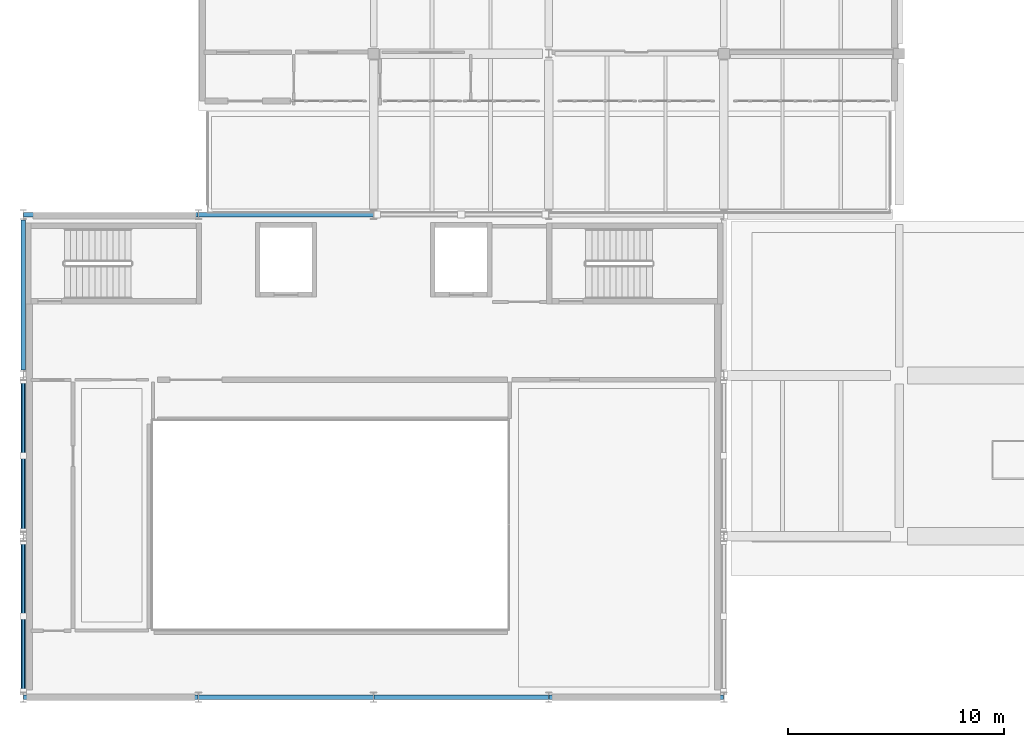
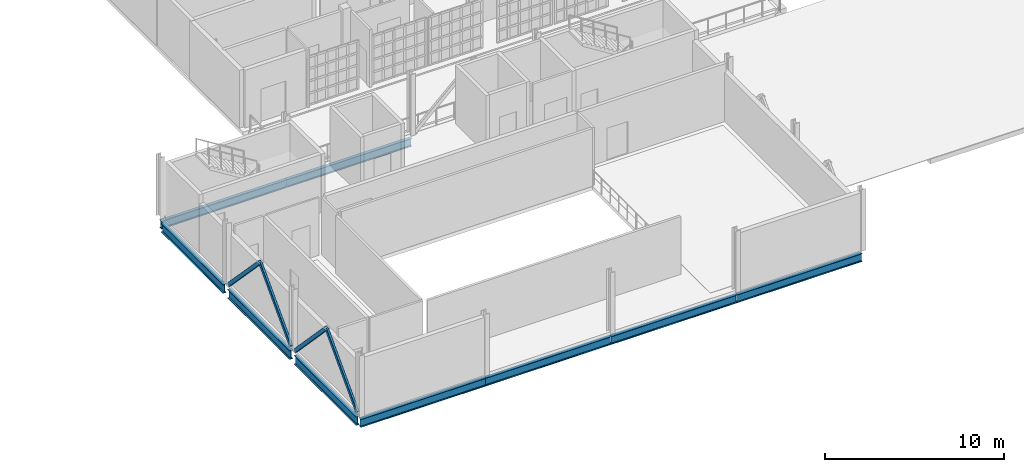
# One storey, part 3 of 25: 9 beams, 4 members.
"""IFC4 building model written with IfcOpenShell, lengths in metres."""

from ifc_helpers import new_model, si_unit, direction, frame, origin, origin_2d, place, context, subcontext, project, spatial, hollow_rectangle, i_section, extrude, material, material_profile, profile_set, type_object, element, save


model = new_model("IFC4")

# Units and contexts
model_context = context("Model", 3, precision=1e-05, world=origin(), true_north=direction((0.0, 1.0)))
body_context = subcontext(model_context, "Body", "Model", "MODEL_VIEW")
ifc_project = project(units=[si_unit("LENGTHUNIT", "METRE"), si_unit("AREAUNIT", "SQUARE_METRE"), si_unit("VOLUMEUNIT", "CUBIC_METRE"), si_unit("PLANEANGLEUNIT", "RADIAN"), si_unit("MASSUNIT", "GRAM", prefix="KILO")], contexts=[model_context])

# Site, building, storey
site_placement = place(None, origin())
site = spatial("IfcSite", under=ifc_project, at=site_placement, CompositionType="ELEMENT")
building_placement = place(site_placement, origin())
building = spatial("IfcBuilding", under=site, at=building_placement, Name="Kaelora Sail Theatre", CompositionType="ELEMENT")
storey_placement = place(building_placement, frame((0.0, 0.0, 19.199951171875)))
storey = spatial("IfcBuildingStorey", under=building, at=storey_placement, Name="L04", CompositionType="ELEMENT", Elevation=19.199951171875)

# Beams
ifc_material_1 = material(Name="Steel S355", Category="steel")
ifc_material_profile_1 = material_profile(ifc_material_1, i_section(OverallWidth=0.2099609375, OverallDepth=0.550048828125, WebThickness=0.010986328125, FlangeThickness=0.01708984375, FilletRadius=0.02392578125, at=origin_2d()), Name="IPE 550")
ifc_profile_set_1 = profile_set([ifc_material_profile_1], Name="Steel S355")
beam_type_1 = type_object("IfcBeamType", Name="STR-BM-BM-IPE550", PredefinedType="USERDEFINED", material=ifc_profile_set_1)
for number, where, z_axis, x_axis, name in (
    (1, (25.80908203125, 61.02001953125, -0.530029296875), (1.0, 0.0, 0.0), (0.0, 1.0, 0.0), "Primary beam I 4-5 (L04)"),
    (2, (25.80908203125, 83.340087890625, -0.530029296875), (1.0, 0.0, 0.0), (0.0, 1.0, 0.0), "Primary beam L 4-5 (L04)"),
    (3, (33.908935546875, 61.02001953125, -0.530029296875), (1.0, 0.0, 0.0), (0.0, 1.0, 0.0), "Primary beam I 5-6 (L04)"),
    (4, (33.908935546875, 83.340087890625, -0.530029296875), (1.0, 0.0, 0.0), (0.0, 1.0, 0.0), "Primary beam L 5-6 (L04)"),
    (5, (42.009033203125, 61.02001953125, -0.530029296875), (1.0, 0.0, 0.0), (0.0, 1.0, 0.0), "Primary beam I 6-7 (L04)"),
    (6, (50.10888671875, 61.02001953125, -0.530029296875), (1.0, 0.0, 0.0), (0.0, 1.0, 0.0), "Primary beam I 7-8 (L04)"),
):
    element("IfcBeam", number, at=place(storey_placement, frame(where, z_axis=z_axis, x_axis=x_axis)), inside=storey, type_object=beam_type_1, Name=name, ObjectType="GIRDER", PredefinedType="USERDEFINED", context=body_context, shape_type="SweptSolid", body=[
        extrude(i_section(OverallWidth=0.2099609375, OverallDepth=0.550048828125, WebThickness=0.010986328125, FlangeThickness=0.01708984375, FilletRadius=0.02392578125, at=origin_2d()), origin(), (0.0, 0.0, 1.0), 8.08203125),
    ])
ifc_material_2 = material(Name="Steel S355", Category="steel")
ifc_material_profile_2 = material_profile(ifc_material_2, i_section(OverallWidth=0.219970703125, OverallDepth=0.60009765625, WebThickness=0.011962890625, FlangeThickness=0.01904296875, FilletRadius=0.02392578125, at=origin_2d()), Name="IPE 600")
ifc_profile_set_2 = profile_set([ifc_material_profile_2], Name="Steel S355")
beam_type_2 = type_object("IfcBeamType", Name="STR-BM-BM-IPE600", PredefinedType="USERDEFINED", material=ifc_profile_set_2)
for number, where, z_axis, x_axis, name in (
    (7, (25.800048828125, 61.27001953125, -0.554931640625), (0.0, 1.0, 0.0), (-1.0, 0.0, 0.0), "Primary beam 4 I-J (L04)"),
    (8, (25.800048828125, 68.7099609375, -0.554931640625), (0.0, 1.0, 0.0), (-1.0, 0.0, 0.0), "Primary beam 4 J-K (L04)"),
):
    element("IfcBeam", number, at=place(storey_placement, frame(where, z_axis=z_axis, x_axis=x_axis)), inside=storey, type_object=beam_type_2, Name=name, ObjectType="GIRDER", PredefinedType="USERDEFINED", context=body_context, shape_type="SweptSolid", body=[
        extrude(i_section(OverallWidth=0.219970703125, OverallDepth=0.60009765625, WebThickness=0.011962890625, FlangeThickness=0.01904296875, FilletRadius=0.02392578125, at=origin_2d()), origin(), (0.0, 0.0, 1.0), 6.93994140625),
    ])
beam_placement = place(storey_placement, frame((25.800048828125, 76.14990234375, -0.554931640625), z_axis=(0.0, 1.0, 0.0), x_axis=(-1.0, 0.0, 0.0)))
element("IfcBeam", 9, at=beam_placement, inside=storey, type_object=beam_type_2, Name="Primary beam 4 K-L (L04)", ObjectType="GIRDER", PredefinedType="USERDEFINED", context=body_context, shape_type="SweptSolid", body=[
    extrude(i_section(OverallWidth=0.219970703125, OverallDepth=0.60009765625, WebThickness=0.011962890625, FlangeThickness=0.01904296875, FilletRadius=0.02392578125, at=origin_2d()), origin(), (0.0, 0.0, 1.0), 6.940185546875),
])

# Members
ifc_material_3 = material(Name="Steel S355", Category="steel")
ifc_material_profile_3 = material_profile(ifc_material_3, hollow_rectangle(XDim=0.14990234375, YDim=0.25, WallThickness=0.010009765625, InnerFilletRadius=0.010009765625, OuterFilletRadius=0.02001953125, at=origin_2d()), Name="RHS 250x150x10.0")
ifc_profile_set_3 = profile_set([ifc_material_profile_3], Name="Steel S355")
member_type = type_object("IfcMemberType", Name="STR-MEM-BR-RHS250", PredefinedType="BRACE", material=ifc_profile_set_3)
member_1_placement = place(storey_placement, frame((25.800048828125, 61.280029296875, 0.02001953125), z_axis=(0.0, 0.690009780315, 0.723800043568), x_axis=(-1.0, 0.0, 0.0)))
element("IfcMember", 10, at=member_1_placement, inside=storey, type_object=member_type, Name="Fly Tower chevron brace L04 WS1", PredefinedType="BRACE", context=body_context, shape_type="SweptSolid", body=[
    extrude(hollow_rectangle(XDim=0.14990234375, YDim=0.25, WallThickness=0.010009765625, InnerFilletRadius=0.010009765625, OuterFilletRadius=0.02001953125, at=origin_2d()), origin(), (0.0, 0.0, 1.0), 5.035888671875),
])
member_2_placement = place(storey_placement, frame((25.800048828125, 68.22998046875, 0.02001953125), z_axis=(0.0, -0.690035176836, 0.723775831822), x_axis=(1.0, 0.0, 0.0)))
element("IfcMember", 11, at=member_2_placement, inside=storey, type_object=member_type, Name="Fly Tower chevron brace L04 WS2", PredefinedType="BRACE", context=body_context, shape_type="SweptSolid", body=[
    extrude(hollow_rectangle(XDim=0.14990234375, YDim=0.25, WallThickness=0.010009765625, InnerFilletRadius=0.010009765625, OuterFilletRadius=0.02001953125, at=origin_2d()), origin(), (0.0, 0.0, 1.0), 5.0361328125),
])
for number, where, z_axis, x_axis, name in (
    (12, (25.800048828125, 68.68994140625, 0.02001953125), (0.0, 0.691579554653, 0.722300297374), (-1.0, 0.0, 0.0), "Fly Tower chevron brace L04 WM1"),
    (13, (25.800048828125, 75.669921875, 0.02001953125), (0.0, -0.691579554653, 0.722300297374), (1.0, 0.0, 0.0), "Fly Tower chevron brace L04 WM2"),
):
    element("IfcMember", number, at=place(storey_placement, frame(where, z_axis=z_axis, x_axis=x_axis)), inside=storey, type_object=member_type, Name=name, PredefinedType="BRACE", context=body_context, shape_type="SweptSolid", body=[
        extrude(hollow_rectangle(XDim=0.14990234375, YDim=0.25, WallThickness=0.010009765625, InnerFilletRadius=0.010009765625, OuterFilletRadius=0.02001953125, at=origin_2d()), origin(), (0.0, 0.0, 1.0), 5.04638671875),
    ])

save(model, "model.ifc")
